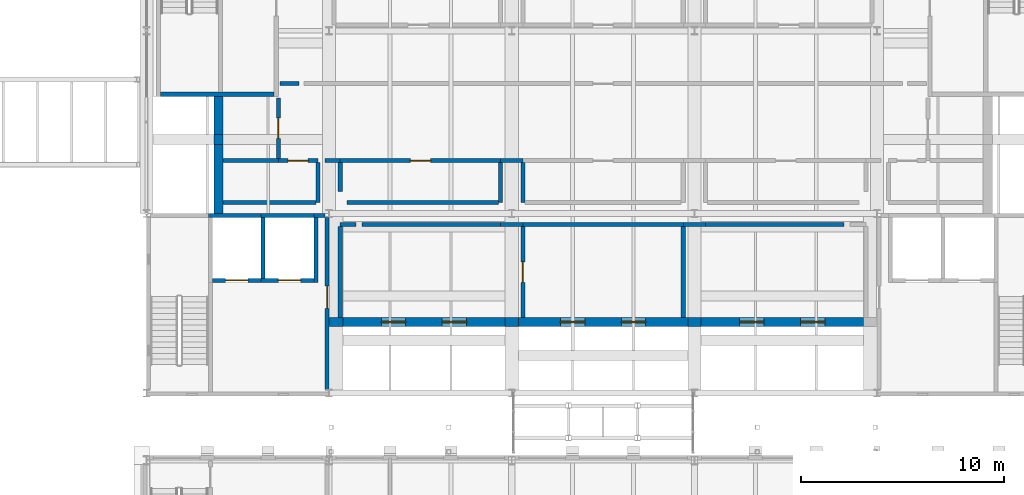
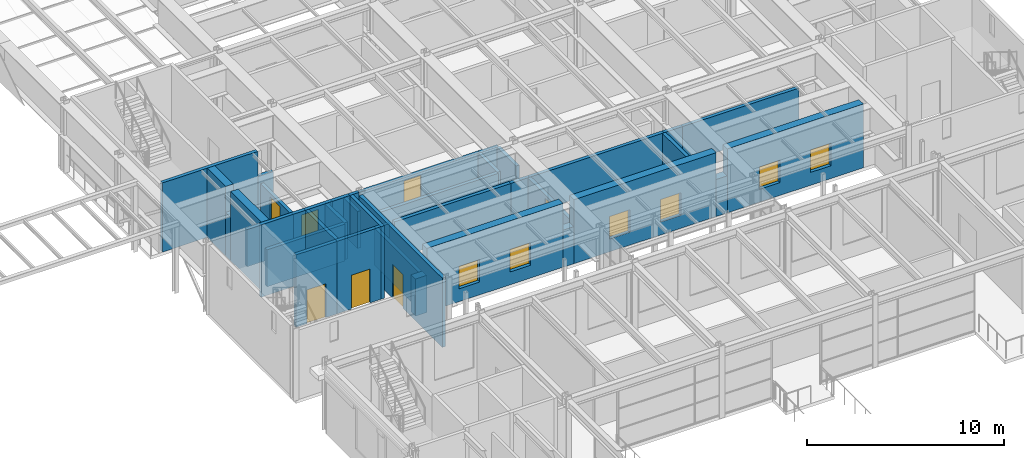
# One storey, part 104 of 153: 40 walls, 7 doors, 6 windows, 13 openings.
"""IFC4 building model written with IfcOpenShell, lengths in metres."""

from ifc_helpers import new_model, si_unit, direction, frame, frame_2d, origin, place, context, subcontext, project, spatial, rectangle, extrude, material, layer, layer_set, type_object, element, fill, save


model = new_model("IFC4")

# Units and contexts
model_context = context("Model", 3, precision=1e-05, world=origin(), true_north=direction((0.0, 1.0)))
body_context = subcontext(model_context, "Body", "Model", "MODEL_VIEW")
ifc_project = project(units=[si_unit("LENGTHUNIT", "METRE"), si_unit("AREAUNIT", "SQUARE_METRE"), si_unit("VOLUMEUNIT", "CUBIC_METRE"), si_unit("PLANEANGLEUNIT", "RADIAN"), si_unit("MASSUNIT", "GRAM", prefix="KILO")], contexts=[model_context])

# Site, building, storey
site_placement = place(None, origin())
site = spatial("IfcSite", under=ifc_project, at=site_placement, CompositionType="ELEMENT")
building_placement = place(site_placement, origin())
building = spatial("IfcBuilding", under=site, at=building_placement, Name="Kallimachos Central Library", CompositionType="ELEMENT")
storey_placement = place(building_placement, frame((0.0, 0.0, 5.39990234375)))
storey = spatial("IfcBuildingStorey", under=building, at=storey_placement, Name="L01", CompositionType="ELEMENT", Elevation=5.39990234375)

# Wall
ifc_material_1 = material(Name="Bronze-anodised aluminium louvres on blockwork", Category="masonry")
ifc_layer_1 = layer(ifc_material_1, 0.449951171875)
ifc_layer_set_1 = layer_set([ifc_layer_1], Name="Bronze louvre enclosure wall 450")
wall_type_1 = type_object("IfcWallType", Name="Bronze louvre enclosure wall 450", PredefinedType="SOLIDWALL", material=ifc_layer_set_1)
wall_1_placement = place(storey_placement, frame((74.5, 90.64990234375, 0.0), z_axis=(0.0, 0.0, 1.0), x_axis=(1.0, 0.0, 0.0)))
element("IfcWall", 1, at=wall_1_placement, inside=storey, type_object=wall_type_1, Name="Louvre enclosure wall S L01", PredefinedType="SOLIDWALL", context=body_context, shape_type="SweptSolid", body=[
    extrude(rectangle(XDim=0.675048828125, YDim=0.449951171875, at=frame_2d((0.33740234375, 0.0))), origin(), (0.0, 0.0, 1.0), 2.300048828125),
])

# Wall, openings, windows
wall_2_placement = place(storey_placement, frame((75.175048828125, 90.64990234375, 0.0), z_axis=(0.0, 0.0, 1.0), x_axis=(1.0, 0.0, 0.0)))
wall_2 = element("IfcWall", 2, at=wall_2_placement, inside=storey, type_object=wall_type_1, Name="Louvre enclosure wall S L01", PredefinedType="SOLIDWALL", context=body_context, shape_type="SweptSolid", body=[
    extrude(rectangle(XDim=8.0, YDim=0.449951171875, at=frame_2d((4.0, 0.0))), origin(), (0.0, 0.0, 1.0), 3.97021484375),
])
opening_1_placement = place(wall_2_placement, frame((1.89990234375, 0.0, 0.800048828125)))
opening_1 = element("IfcOpeningElement", 3, at=opening_1_placement, cuts=wall_2, Name="Opening W45", PredefinedType="OPENING", context=body_context, shape_type="SweptSolid", body=[
    extrude(rectangle(XDim=1.199951171875, YDim=1.39990234375, at=frame_2d((0.60009765625, 0.699951171875))), frame((0.0, 0.23486328125, 0.0), z_axis=(0.0, -1.0, 0.0), x_axis=(1.0, 0.0, 0.0)), (0.0, 0.0, 1.0), 0.469970703125),
])
opening_2_placement = place(wall_2_placement, frame((4.89990234375, 0.0, 0.800048828125)))
opening_2 = element("IfcOpeningElement", 4, at=opening_2_placement, cuts=wall_2, Name="Opening W46", PredefinedType="OPENING", context=body_context, shape_type="SweptSolid", body=[
    extrude(rectangle(XDim=1.199951171875, YDim=1.39990234375, at=frame_2d((0.60009765625, 0.699951171875))), frame((0.0, 0.23486328125, 0.0), z_axis=(0.0, -1.0, 0.0), x_axis=(1.0, 0.0, 0.0)), (0.0, 0.0, 1.0), 0.469970703125),
])
ifc_material_2 = material(Name="Anodised aluminium louvre", Category="aluminium")
window_type = type_object("IfcWindowType", Name="Plant louvre 1200x1400", PartitioningType="SINGLE_PANEL", PredefinedType="WINDOW", material=ifc_material_2)
window_1_placement = place(opening_1_placement, origin())
window_1 = element("IfcWindow", 5, at=window_1_placement, inside=storey, type_object=window_type, Name="V1-WIN-L01-001", OverallHeight=1.39990234375, OverallWidth=1.199951171875, PartitioningType="SINGLE_PANEL", PredefinedType="WINDOW", context=body_context, shape_type="SweptSolid", body=[
    extrude(rectangle(XDim=1.199951171875, YDim=1.39990234375, at=frame_2d((0.60009765625, 0.699951171875))), frame((0.0, 0.030029296875, 0.0), z_axis=(0.0, -1.0, 0.0), x_axis=(1.0, 0.0, 0.0)), (0.0, 0.0, 1.0), 0.06005859375),
])
fill(opening_1, window_1)
window_2_placement = place(opening_2_placement, origin())
window_2 = element("IfcWindow", 6, at=window_2_placement, inside=storey, type_object=window_type, Name="V1-WIN-L01-002", OverallHeight=1.39990234375, OverallWidth=1.199951171875, PartitioningType="SINGLE_PANEL", PredefinedType="WINDOW", context=body_context, shape_type="SweptSolid", body=[
    extrude(rectangle(XDim=1.199951171875, YDim=1.39990234375, at=frame_2d((0.60009765625, 0.699951171875))), frame((0.0, 0.030029296875, 0.0), z_axis=(0.0, -1.0, 0.0), x_axis=(1.0, 0.0, 0.0)), (0.0, 0.0, 1.0), 0.06005859375),
])
fill(opening_2, window_2)

# Wall
wall_3_placement = place(storey_placement, frame((83.175048828125, 90.64990234375, 0.0), z_axis=(0.0, 0.0, 1.0), x_axis=(1.0, 0.0, 0.0)))
element("IfcWall", 7, at=wall_3_placement, inside=storey, type_object=wall_type_1, Name="Louvre enclosure wall S L01", PredefinedType="SOLIDWALL", context=body_context, shape_type="SweptSolid", body=[
    extrude(rectangle(XDim=0.64990234375, YDim=0.449951171875, at=frame_2d((0.324951171875, 0.0))), origin(), (0.0, 0.0, 1.0), 2.300048828125),
])

# Wall, openings, windows
wall_4_placement = place(storey_placement, frame((83.824951171875, 90.64990234375, 0.0), z_axis=(0.0, 0.0, 1.0), x_axis=(1.0, 0.0, 0.0)))
wall_4 = element("IfcWall", 8, at=wall_4_placement, inside=storey, type_object=wall_type_1, Name="Louvre enclosure wall S L01", PredefinedType="SOLIDWALL", context=body_context, shape_type="SweptSolid", body=[
    extrude(rectangle(XDim=8.35009765625, YDim=0.449951171875, at=frame_2d((4.175048828125, 0.0))), origin(), (0.0, 0.0, 1.0), 3.97021484375),
])
opening_3_placement = place(wall_4_placement, frame((2.074951171875, 0.0, 0.800048828125)))
opening_3 = element("IfcOpeningElement", 9, at=opening_3_placement, cuts=wall_4, Name="Opening W47", PredefinedType="OPENING", context=body_context, shape_type="SweptSolid", body=[
    extrude(rectangle(XDim=1.199951171875, YDim=1.39990234375, at=frame_2d((0.60009765625, 0.699951171875))), frame((0.0, 0.23486328125, 0.0), z_axis=(0.0, -1.0, 0.0), x_axis=(1.0, 0.0, 0.0)), (0.0, 0.0, 1.0), 0.469970703125),
])
opening_4_placement = place(wall_4_placement, frame((5.074951171875, 0.0, 0.800048828125)))
opening_4 = element("IfcOpeningElement", 10, at=opening_4_placement, cuts=wall_4, Name="Opening W48", PredefinedType="OPENING", context=body_context, shape_type="SweptSolid", body=[
    extrude(rectangle(XDim=1.199951171875, YDim=1.39990234375, at=frame_2d((0.60009765625, 0.699951171875))), frame((0.0, 0.23486328125, 0.0), z_axis=(0.0, -1.0, 0.0), x_axis=(1.0, 0.0, 0.0)), (0.0, 0.0, 1.0), 0.469970703125),
])
window_3_placement = place(opening_3_placement, origin())
window_3 = element("IfcWindow", 11, at=window_3_placement, inside=storey, type_object=window_type, Name="V1-WIN-L01-003", OverallHeight=1.39990234375, OverallWidth=1.199951171875, PartitioningType="SINGLE_PANEL", PredefinedType="WINDOW", context=body_context, shape_type="SweptSolid", body=[
    extrude(rectangle(XDim=1.199951171875, YDim=1.39990234375, at=frame_2d((0.60009765625, 0.699951171875))), frame((0.0, 0.030029296875, 0.0), z_axis=(0.0, -1.0, 0.0), x_axis=(1.0, 0.0, 0.0)), (0.0, 0.0, 1.0), 0.06005859375),
])
fill(opening_3, window_3)
window_4_placement = place(opening_4_placement, origin())
window_4 = element("IfcWindow", 12, at=window_4_placement, inside=storey, type_object=window_type, Name="V1-WIN-L01-004", OverallHeight=1.39990234375, OverallWidth=1.199951171875, PartitioningType="SINGLE_PANEL", PredefinedType="WINDOW", context=body_context, shape_type="SweptSolid", body=[
    extrude(rectangle(XDim=1.199951171875, YDim=1.39990234375, at=frame_2d((0.60009765625, 0.699951171875))), frame((0.0, 0.030029296875, 0.0), z_axis=(0.0, -1.0, 0.0), x_axis=(1.0, 0.0, 0.0)), (0.0, 0.0, 1.0), 0.06005859375),
])
fill(opening_4, window_4)

# Wall
wall_5_placement = place(storey_placement, frame((92.175048828125, 90.64990234375, 0.0), z_axis=(0.0, 0.0, 1.0), x_axis=(1.0, 0.0, 0.0)))
element("IfcWall", 13, at=wall_5_placement, inside=storey, type_object=wall_type_1, Name="Louvre enclosure wall S L01", PredefinedType="SOLIDWALL", context=body_context, shape_type="SweptSolid", body=[
    extrude(rectangle(XDim=0.64990234375, YDim=0.449951171875, at=frame_2d((0.324951171875, 0.0))), origin(), (0.0, 0.0, 1.0), 2.300048828125),
])

# Wall, openings, windows
wall_6_placement = place(storey_placement, frame((92.824951171875, 90.64990234375, 0.0), z_axis=(0.0, 0.0, 1.0), x_axis=(1.0, 0.0, 0.0)))
wall_6 = element("IfcWall", 14, at=wall_6_placement, inside=storey, type_object=wall_type_1, Name="Louvre enclosure wall S L01", PredefinedType="SOLIDWALL", context=body_context, shape_type="SweptSolid", body=[
    extrude(rectangle(XDim=8.0, YDim=0.449951171875, at=frame_2d((4.0, 0.0))), origin(), (0.0, 0.0, 1.0), 3.97021484375),
])
opening_5_placement = place(wall_6_placement, frame((1.89990234375, 0.0, 0.800048828125)))
opening_5 = element("IfcOpeningElement", 15, at=opening_5_placement, cuts=wall_6, Name="Opening W49", PredefinedType="OPENING", context=body_context, shape_type="SweptSolid", body=[
    extrude(rectangle(XDim=1.199951171875, YDim=1.39990234375, at=frame_2d((0.60009765625, 0.699951171875))), frame((0.0, 0.23486328125, 0.0), z_axis=(0.0, -1.0, 0.0), x_axis=(1.0, 0.0, 0.0)), (0.0, 0.0, 1.0), 0.469970703125),
])
opening_6_placement = place(wall_6_placement, frame((4.89990234375, 0.0, 0.800048828125)))
opening_6 = element("IfcOpeningElement", 16, at=opening_6_placement, cuts=wall_6, Name="Opening W50", PredefinedType="OPENING", context=body_context, shape_type="SweptSolid", body=[
    extrude(rectangle(XDim=1.199951171875, YDim=1.39990234375, at=frame_2d((0.60009765625, 0.699951171875))), frame((0.0, 0.23486328125, 0.0), z_axis=(0.0, -1.0, 0.0), x_axis=(1.0, 0.0, 0.0)), (0.0, 0.0, 1.0), 0.469970703125),
])
window_5_placement = place(opening_5_placement, origin())
window_5 = element("IfcWindow", 17, at=window_5_placement, inside=storey, type_object=window_type, Name="V1-WIN-L01-005", OverallHeight=1.39990234375, OverallWidth=1.199951171875, PartitioningType="SINGLE_PANEL", PredefinedType="WINDOW", context=body_context, shape_type="SweptSolid", body=[
    extrude(rectangle(XDim=1.199951171875, YDim=1.39990234375, at=frame_2d((0.60009765625, 0.699951171875))), frame((0.0, 0.030029296875, 0.0), z_axis=(0.0, -1.0, 0.0), x_axis=(1.0, 0.0, 0.0)), (0.0, 0.0, 1.0), 0.06005859375),
])
fill(opening_5, window_5)
window_6_placement = place(opening_6_placement, origin())
window_6 = element("IfcWindow", 18, at=window_6_placement, inside=storey, type_object=window_type, Name="V1-WIN-L01-006", OverallHeight=1.39990234375, OverallWidth=1.199951171875, PartitioningType="SINGLE_PANEL", PredefinedType="WINDOW", context=body_context, shape_type="SweptSolid", body=[
    extrude(rectangle(XDim=1.199951171875, YDim=1.39990234375, at=frame_2d((0.60009765625, 0.699951171875))), frame((0.0, 0.030029296875, 0.0), z_axis=(0.0, -1.0, 0.0), x_axis=(1.0, 0.0, 0.0)), (0.0, 0.0, 1.0), 0.06005859375),
])
fill(opening_6, window_6)

# Walls
wall_7_placement = place(storey_placement, frame((69.050048828125, 96.0, 0.0), z_axis=(0.0, 0.0, 1.0), x_axis=(0.0, 1.0, 0.0)))
element("IfcWall", 19, at=wall_7_placement, inside=storey, type_object=wall_type_1, Name="Louvre enclosure wall W L01", PredefinedType="SOLIDWALL", context=body_context, shape_type="SweptSolid", body=[
    extrude(rectangle(XDim=3.39111328125, YDim=0.449951171875, at=frame_2d((1.695556640625, 0.0))), origin(), (0.0, 0.0, 1.0), 4.300048828125),
])
wall_8_placement = place(storey_placement, frame((69.050048828125, 99.39111328125, 0.0), z_axis=(0.0, 0.0, 1.0), x_axis=(0.0, 1.0, 0.0)))
element("IfcWall", 20, at=wall_8_placement, inside=storey, type_object=wall_type_1, Name="Louvre enclosure wall W L01", PredefinedType="SOLIDWALL", context=body_context, shape_type="SweptSolid", body=[
    extrude(rectangle(XDim=0.5, YDim=0.449951171875, at=frame_2d((0.25, 0.0))), origin(), (0.0, 0.0, 1.0), 2.7001953125),
])
wall_9_placement = place(storey_placement, frame((69.050048828125, 99.89111328125, 0.0), z_axis=(0.0, 0.0, 1.0), x_axis=(0.0, 1.0, 0.0)))
element("IfcWall", 21, at=wall_9_placement, inside=storey, type_object=wall_type_1, Name="Louvre enclosure wall W L01", PredefinedType="SOLIDWALL", context=body_context, shape_type="SweptSolid", body=[
    extrude(rectangle(XDim=1.8837890625, YDim=0.449951171875, at=frame_2d((0.94189453125, 0.0))), origin(), (0.0, 0.0, 1.0), 4.300048828125),
])

# Wall, opening, door
ifc_material_3 = material(Name="Concrete C30/37", Category="concrete")
ifc_layer_2 = layer(ifc_material_3, 0.199951171875)
ifc_layer_set_2 = layer_set([ifc_layer_2], Name="Core wall 200")
wall_type_2 = type_object("IfcWallType", Name="Core wall 200", PredefinedType="SOLIDWALL", material=ifc_layer_set_2)
wall_10_placement = place(storey_placement, frame((74.39990234375, 87.33837890625, 0.0), z_axis=(0.0, 0.0, 1.0), x_axis=(0.0, 1.0, 0.0)))
wall_10 = element("IfcWall", 22, at=wall_10_placement, inside=storey, type_object=wall_type_2, Name="Core wall V1-SW E", PredefinedType="SOLIDWALL", context=body_context, shape_type="SweptSolid", body=[
    extrude(rectangle(XDim=8.47314453125, YDim=0.199951171875, at=frame_2d((4.236572265625, 0.0))), origin(), (0.0, 0.0, 1.0), 4.300048828125),
])
opening_7_placement = place(wall_10_placement, frame((3.986572265625, 0.0, 0.0)))
opening_7 = element("IfcOpeningElement", 23, at=opening_7_placement, cuts=wall_10, Name="Opening D221", PredefinedType="OPENING", context=body_context, shape_type="SweptSolid", body=[
    extrude(rectangle(XDim=1.10009765625, YDim=2.10009765625, at=frame_2d((0.550048828125, 1.050048828125))), frame((0.0, 0.10986328125, 0.0), z_axis=(0.0, -1.0, 0.0), x_axis=(1.0, 0.0, 0.0)), (0.0, 0.0, 1.0), 0.219970703125),
])
ifc_material_4 = material(Name="Steel fire door", Category="steel")
door_type_1 = type_object("IfcDoorType", Name="Fire door EI2 90 1100 x 2100", OperationType="NOTDEFINED", PredefinedType="DOOR", material=ifc_material_4)
door_1_placement = place(opening_7_placement, origin())
door_1 = element("IfcDoor", 24, at=door_1_placement, inside=storey, type_object=door_type_1, Name="V1-DOR-L01-005", OperationType="SINGLE_SWING_RIGHT", OverallHeight=2.10009765625, OverallWidth=1.10009765625, PredefinedType="DOOR", context=body_context, shape_type="SweptSolid", body=[
    extrude(rectangle(XDim=1.10009765625, YDim=2.10009765625, at=frame_2d((0.550048828125, 1.050048828125))), frame((0.0, 0.02490234375, 0.0), z_axis=(0.0, -1.0, 0.0), x_axis=(1.0, 0.0, 0.0)), (0.0, 0.0, 1.0), 0.050048828125),
])
fill(opening_7, door_1)

# Walls
wall_11_placement = place(storey_placement, frame((73.75, 95.89990234375, 0.0), z_axis=(0.0, 0.0, 1.0), x_axis=(1.0, 0.0, 0.0)))
element("IfcWall", 25, at=wall_11_placement, inside=storey, type_object=wall_type_2, Name="Core wall V1-SW N", PredefinedType="SOLIDWALL", context=body_context, shape_type="SweptSolid", body=[
    extrude(rectangle(XDim=0.550048828125, YDim=0.199951171875, at=frame_2d((0.27490234375, 0.0))), origin(), (0.0, 0.0, 1.0), 4.5),
])
wall_12_placement = place(storey_placement, frame((66.199951171875, 101.875, 0.0), z_axis=(0.0, 0.0, 1.0), x_axis=(1.0, 0.0, 0.0)))
element("IfcWall", 26, at=wall_12_placement, inside=storey, type_object=wall_type_2, Name="Core wall V1-NW S", PredefinedType="SOLIDWALL", context=body_context, shape_type="SweptSolid", body=[
    extrude(rectangle(XDim=5.60009765625, YDim=0.199951171875, at=frame_2d((2.800048828125, 0.0))), origin(), (0.0, 0.0, 1.0), 4.300048828125),
])
ifc_material_5 = material(Name="Concrete C30/37", Category="concrete")
ifc_layer_3 = layer(ifc_material_5, 0.199951171875)
ifc_layer_set_3 = layer_set([ifc_layer_3], Name="Lift shaft wall 200")
wall_type_3 = type_object("IfcWallType", Name="Lift shaft wall 200", PredefinedType="SOLIDWALL", material=ifc_layer_set_3)
wall_13_placement = place(storey_placement, frame((68.550048828125, 95.89990234375, 0.0), z_axis=(0.0, 0.0, 1.0), x_axis=(1.0, 0.0, 0.0)))
element("IfcWall", 27, at=wall_13_placement, inside=storey, type_object=wall_type_3, Name="V1-WAL-L01-001", PredefinedType="SOLIDWALL", context=body_context, shape_type="SweptSolid", body=[
    extrude(rectangle(XDim=2.599853515625, YDim=0.199951171875, at=frame_2d((1.2998046875, 0.0))), origin(), (0.0, 0.0, 1.0), 4.5),
])

# Wall, opening, door
wall_14_placement = place(storey_placement, frame((68.75, 92.699951171875, 0.0), z_axis=(0.0, 0.0, 1.0), x_axis=(1.0, 0.0, 0.0)))
wall_14 = element("IfcWall", 28, at=wall_14_placement, inside=storey, type_object=wall_type_3, Name="V1-WAL-L01-002", PredefinedType="SOLIDWALL", context=body_context, shape_type="SweptSolid", body=[
    extrude(rectangle(XDim=2.39990234375, YDim=0.199951171875, at=frame_2d((1.199951171875, 0.0))), origin(), (0.0, 0.0, 1.0), 4.5),
])
opening_8_placement = place(wall_14_placement, frame((0.64990234375, 0.0, 0.0)))
opening_8 = element("IfcOpeningElement", 29, at=opening_8_placement, cuts=wall_14, Name="Opening LD1100", PredefinedType="OPENING", context=body_context, shape_type="SweptSolid", body=[
    extrude(rectangle(XDim=1.10009765625, YDim=2.10009765625, at=frame_2d((0.550048828125, 1.050048828125))), frame((0.0, 0.10986328125, 0.0), z_axis=(0.0, -1.0, 0.0), x_axis=(1.0, 0.0, 0.0)), (0.0, 0.0, 1.0), 0.219970703125),
])
ifc_material_6 = material(Name="Stainless steel", Category="steel")
door_type_2 = type_object("IfcDoorType", Name="Lift landing door 1100 x 2100", OperationType="SLIDING_TO_LEFT", PredefinedType="DOOR", material=ifc_material_6)
door_2_placement = place(opening_8_placement, origin())
door_2 = element("IfcDoor", 30, at=door_2_placement, inside=storey, type_object=door_type_2, Name="LF1 landing door L01", OperationType="SLIDING_TO_LEFT", OverallHeight=2.10009765625, OverallWidth=1.10009765625, PredefinedType="DOOR", context=body_context, shape_type="SweptSolid", body=[
    extrude(rectangle(XDim=1.10009765625, YDim=2.10009765625, at=frame_2d((0.550048828125, 1.050048828125))), frame((0.0, 0.02490234375, 0.0), z_axis=(0.0, -1.0, 0.0), x_axis=(1.0, 0.0, 0.0)), (0.0, 0.0, 1.0), 0.050048828125),
])
fill(opening_8, door_2)

# Walls
wall_15_placement = place(storey_placement, frame((71.25, 92.60009765625, 0.0), z_axis=(0.0, 0.0, 1.0), x_axis=(0.0, 1.0, 0.0)))
element("IfcWall", 31, at=wall_15_placement, inside=storey, type_object=wall_type_3, Name="V1-WAL-L01-004", PredefinedType="SOLIDWALL", context=body_context, shape_type="SweptSolid", body=[
    extrude(rectangle(XDim=3.39990234375, YDim=0.199951171875, at=frame_2d((1.699951171875, 0.0))), origin(), (0.0, 0.0, 1.0), 4.5),
])
wall_16_placement = place(storey_placement, frame((71.14990234375, 95.89990234375, 0.0), z_axis=(0.0, 0.0, 1.0), x_axis=(1.0, 0.0, 0.0)))
element("IfcWall", 32, at=wall_16_placement, inside=storey, type_object=wall_type_3, Name="V1-WAL-L01-005", PredefinedType="SOLIDWALL", context=body_context, shape_type="SweptSolid", body=[
    extrude(rectangle(XDim=2.60009765625, YDim=0.199951171875, at=frame_2d((1.300048828125, 0.0))), origin(), (0.0, 0.0, 1.0), 4.5),
])

# Wall, opening, door
wall_17_placement = place(storey_placement, frame((71.14990234375, 92.699951171875, 0.0), z_axis=(0.0, 0.0, 1.0), x_axis=(1.0, 0.0, 0.0)))
wall_17 = element("IfcWall", 33, at=wall_17_placement, inside=storey, type_object=wall_type_3, Name="V1-WAL-L01-006", PredefinedType="SOLIDWALL", context=body_context, shape_type="SweptSolid", body=[
    extrude(rectangle(XDim=2.60009765625, YDim=0.199951171875, at=frame_2d((1.300048828125, 0.0))), origin(), (0.0, 0.0, 1.0), 4.5),
])
opening_9_placement = place(wall_17_placement, frame((0.85009765625, 0.0, 0.0)))
opening_9 = element("IfcOpeningElement", 34, at=opening_9_placement, cuts=wall_17, Name="Opening LD1100", PredefinedType="OPENING", context=body_context, shape_type="SweptSolid", body=[
    extrude(rectangle(XDim=1.10009765625, YDim=2.10009765625, at=frame_2d((0.550048828125, 1.050048828125))), frame((0.0, 0.10986328125, 0.0), z_axis=(0.0, -1.0, 0.0), x_axis=(1.0, 0.0, 0.0)), (0.0, 0.0, 1.0), 0.219970703125),
])
door_3_placement = place(opening_9_placement, origin())
door_3 = element("IfcDoor", 35, at=door_3_placement, inside=storey, type_object=door_type_2, Name="LF2 landing door L01", OperationType="SLIDING_TO_LEFT", OverallHeight=2.10009765625, OverallWidth=1.10009765625, PredefinedType="DOOR", context=body_context, shape_type="SweptSolid", body=[
    extrude(rectangle(XDim=1.10009765625, YDim=2.10009765625, at=frame_2d((0.550048828125, 1.050048828125))), frame((0.0, 0.02490234375, 0.0), z_axis=(0.0, -1.0, 0.0), x_axis=(1.0, 0.0, 0.0)), (0.0, 0.0, 1.0), 0.050048828125),
])
fill(opening_9, door_3)

# Walls
wall_18_placement = place(storey_placement, frame((73.85009765625, 92.60009765625, 0.0), z_axis=(0.0, 0.0, 1.0), x_axis=(0.0, 1.0, 0.0)))
element("IfcWall", 36, at=wall_18_placement, inside=storey, type_object=wall_type_3, Name="V1-WAL-L01-007", PredefinedType="SOLIDWALL", context=body_context, shape_type="SweptSolid", body=[
    extrude(rectangle(XDim=3.39990234375, YDim=0.199951171875, at=frame_2d((1.699951171875, 0.0))), origin(), (0.0, 0.0, 1.0), 4.5),
])
ifc_material_7 = material(Name="Blockwork wall", Category="masonry")
ifc_layer_4 = layer(ifc_material_7, 0.199951171875)
ifc_layer_set_4 = layer_set([ifc_layer_4], Name="Plant room wall 200")
wall_type_4 = type_object("IfcWallType", Name="Plant room wall 200", PredefinedType="SOLIDWALL", material=ifc_layer_set_4)
wall_19_placement = place(storey_placement, frame((75.050048828125, 95.449951171875, 0.0), z_axis=(0.0, 0.0, 1.0), x_axis=(1.0, 0.0, 0.0)))
element("IfcWall", 37, at=wall_19_placement, inside=storey, type_object=wall_type_4, Name="Plant room wall", PredefinedType="SOLIDWALL", context=body_context, shape_type="SweptSolid", body=[
    extrude(rectangle(XDim=0.7841796875, YDim=0.199951171875, at=frame_2d((0.39208984375, 0.0))), origin(), (0.0, 0.0, 1.0), 2.300048828125),
])
wall_20_placement = place(storey_placement, frame((76.122802734375, 95.449951171875, 0.0), z_axis=(0.0, 0.0, 1.0), x_axis=(1.0, 0.0, 0.0)))
element("IfcWall", 38, at=wall_20_placement, inside=storey, type_object=wall_type_4, Name="Plant room wall", PredefinedType="SOLIDWALL", context=body_context, shape_type="SweptSolid", body=[
    extrude(rectangle(XDim=6.8271484375, YDim=0.199951171875, at=frame_2d((3.41357421875, 0.0))), origin(), (0.0, 0.0, 1.0), 2.300048828125),
])
wall_21_placement = place(storey_placement, frame((82.949951171875, 95.449951171875, 0.0), z_axis=(0.0, 0.0, 1.0), x_axis=(1.0, 0.0, 0.0)))
element("IfcWall", 39, at=wall_21_placement, inside=storey, type_object=wall_type_4, Name="Plant room wall", PredefinedType="SOLIDWALL", context=body_context, shape_type="SweptSolid", body=[
    extrude(rectangle(XDim=1.10009765625, YDim=0.199951171875, at=frame_2d((0.550048828125, 0.0))), origin(), (0.0, 0.0, 1.0), 2.300048828125),
])

# Wall, opening, door
wall_22_placement = place(storey_placement, frame((84.050048828125, 95.35009765625, 0.0), z_axis=(0.0, 0.0, 1.0), x_axis=(0.0, -1.0, 0.0)))
wall_22 = element("IfcWall", 40, at=wall_22_placement, inside=storey, type_object=wall_type_4, Name="Plant room wall", PredefinedType="SOLIDWALL", context=body_context, shape_type="SweptSolid", body=[
    extrude(rectangle(XDim=4.47509765625, YDim=0.199951171875, at=frame_2d((2.237548828125, 0.0))), origin(), (0.0, 0.0, 1.0), 2.300048828125),
])
opening_10_placement = place(wall_22_placement, frame((1.737548828125, 0.0, 0.0)))
opening_10 = element("IfcOpeningElement", 41, at=opening_10_placement, cuts=wall_22, Name="Opening D253", PredefinedType="OPENING", context=body_context, shape_type="SweptSolid", body=[
    extrude(rectangle(XDim=1.0, YDim=2.10009765625, at=frame_2d((0.5, 1.050048828125))), frame((0.0, 0.10986328125, 0.0), z_axis=(0.0, -1.0, 0.0), x_axis=(1.0, 0.0, 0.0)), (0.0, 0.0, 1.0), 0.219970703125),
])
ifc_material_8 = material(Name="Steel fire door", Category="steel")
door_type_3 = type_object("IfcDoorType", Name="Fire door EI2 90 1000 x 2100", OperationType="NOTDEFINED", PredefinedType="DOOR", material=ifc_material_8)
door_4_placement = place(opening_10_placement, origin())
door_4 = element("IfcDoor", 42, at=door_4_placement, inside=storey, type_object=door_type_3, Name="V1-DOR-L01-010", OperationType="SINGLE_SWING_RIGHT", OverallHeight=2.10009765625, OverallWidth=1.0, PredefinedType="DOOR", context=body_context, shape_type="SweptSolid", body=[
    extrude(rectangle(XDim=1.0, YDim=2.10009765625, at=frame_2d((0.5, 1.050048828125))), frame((0.0, 0.02490234375, 0.0), z_axis=(0.0, -1.0, 0.0), x_axis=(1.0, 0.0, 0.0)), (0.0, 0.0, 1.0), 0.050048828125),
])
fill(opening_10, door_4)

# Walls
wall_23_placement = place(storey_placement, frame((75.050048828125, 90.875, 0.0), z_axis=(0.0, 0.0, 1.0), x_axis=(0.0, 1.0, 0.0)))
element("IfcWall", 43, at=wall_23_placement, inside=storey, type_object=wall_type_4, Name="Plant room wall", PredefinedType="SOLIDWALL", context=body_context, shape_type="SweptSolid", body=[
    extrude(rectangle(XDim=4.47509765625, YDim=0.199951171875, at=frame_2d((2.237548828125, 0.0))), origin(), (0.0, 0.0, 1.0), 2.300048828125),
])
wall_24_placement = place(storey_placement, frame((91.949951171875, 95.449951171875, 0.0), z_axis=(0.0, 0.0, 1.0), x_axis=(1.0, 0.0, 0.0)))
element("IfcWall", 44, at=wall_24_placement, inside=storey, type_object=wall_type_4, Name="Plant room wall", PredefinedType="SOLIDWALL", context=body_context, shape_type="SweptSolid", body=[
    extrude(rectangle(XDim=1.10009765625, YDim=0.199951171875, at=frame_2d((0.550048828125, 0.0))), origin(), (0.0, 0.0, 1.0), 2.300048828125),
])
wall_25_placement = place(storey_placement, frame((93.050048828125, 95.449951171875, 0.0), z_axis=(0.0, 0.0, 1.0), x_axis=(1.0, 0.0, 0.0)))
element("IfcWall", 45, at=wall_25_placement, inside=storey, type_object=wall_type_4, Name="Plant room wall", PredefinedType="SOLIDWALL", context=body_context, shape_type="SweptSolid", body=[
    extrude(rectangle(XDim=6.8271484375, YDim=0.199951171875, at=frame_2d((3.41357421875, 0.0))), origin(), (0.0, 0.0, 1.0), 2.300048828125),
])
wall_26_placement = place(storey_placement, frame((91.949951171875, 90.875, 0.0), z_axis=(0.0, 0.0, 1.0), x_axis=(0.0, 1.0, 0.0)))
element("IfcWall", 46, at=wall_26_placement, inside=storey, type_object=wall_type_4, Name="Plant room wall", PredefinedType="SOLIDWALL", context=body_context, shape_type="SweptSolid", body=[
    extrude(rectangle(XDim=4.47509765625, YDim=0.199951171875, at=frame_2d((2.237548828125, 0.0))), origin(), (0.0, 0.0, 1.0), 2.300048828125),
])
wall_27_placement = place(storey_placement, frame((73.014404296875, 102.39990234375, 0.0), z_axis=(0.0, 0.0, 1.0), x_axis=(-1.0, 0.0, 0.0)))
element("IfcWall", 47, at=wall_27_placement, inside=storey, type_object=wall_type_4, Name="Plant room wall", PredefinedType="SOLIDWALL", context=body_context, shape_type="SweptSolid", body=[
    extrude(rectangle(XDim=0.934326171875, YDim=0.199951171875, at=frame_2d((0.46728515625, 0.0))), origin(), (0.0, 0.0, 1.0), 2.300048828125),
])
wall_28_placement = place(storey_placement, frame((84.050048828125, 98.60009765625, 0.0), z_axis=(0.0, 0.0, 1.0), x_axis=(-1.0, 0.0, 0.0)))
element("IfcWall", 48, at=wall_28_placement, inside=storey, type_object=wall_type_4, Name="Plant room wall", PredefinedType="SOLIDWALL", context=body_context, shape_type="SweptSolid", body=[
    extrude(rectangle(XDim=1.10009765625, YDim=0.199951171875, at=frame_2d((0.550048828125, 0.0))), origin(), (0.0, 0.0, 1.0), 2.300048828125),
])

# Wall, opening, door
wall_29_placement = place(storey_placement, frame((82.949951171875, 98.60009765625, 0.0), z_axis=(0.0, 0.0, 1.0), x_axis=(-1.0, 0.0, 0.0)))
wall_29 = element("IfcWall", 49, at=wall_29_placement, inside=storey, type_object=wall_type_4, Name="Plant room wall", PredefinedType="SOLIDWALL", context=body_context, shape_type="SweptSolid", body=[
    extrude(rectangle(XDim=7.89990234375, YDim=0.199951171875, at=frame_2d((3.949951171875, 0.0))), origin(), (0.0, 0.0, 1.0), 2.300048828125),
])
opening_11_placement = place(wall_29_placement, frame((3.449951171875, 0.0, 0.0)))
opening_11 = element("IfcOpeningElement", 50, at=opening_11_placement, cuts=wall_29, Name="Opening D255", PredefinedType="OPENING", context=body_context, shape_type="SweptSolid", body=[
    extrude(rectangle(XDim=1.0, YDim=2.10009765625, at=frame_2d((0.5, 1.050048828125))), frame((0.0, 0.10986328125, 0.0), z_axis=(0.0, -1.0, 0.0), x_axis=(1.0, 0.0, 0.0)), (0.0, 0.0, 1.0), 0.219970703125),
])
door_5_placement = place(opening_11_placement, origin())
door_5 = element("IfcDoor", 51, at=door_5_placement, inside=storey, type_object=door_type_3, Name="V1-DOR-L01-012", OperationType="SINGLE_SWING_LEFT", OverallHeight=2.10009765625, OverallWidth=1.0, PredefinedType="DOOR", context=body_context, shape_type="SweptSolid", body=[
    extrude(rectangle(XDim=1.0, YDim=2.10009765625, at=frame_2d((0.5, 1.050048828125))), frame((0.0, 0.02490234375, 0.0), z_axis=(0.0, -1.0, 0.0), x_axis=(1.0, 0.0, 0.0)), (0.0, 0.0, 1.0), 0.050048828125),
])
fill(opening_11, door_5)

# Wall
wall_30_placement = place(storey_placement, frame((75.050048828125, 98.60009765625, 0.0), z_axis=(0.0, 0.0, 1.0), x_axis=(-1.0, 0.0, 0.0)))
element("IfcWall", 52, at=wall_30_placement, inside=storey, type_object=wall_type_4, Name="Plant room wall", PredefinedType="SOLIDWALL", context=body_context, shape_type="SweptSolid", body=[
    extrude(rectangle(XDim=0.744873046875, YDim=0.199951171875, at=frame_2d((0.37255859375, 0.0))), origin(), (0.0, 0.0, 1.0), 2.300048828125),
])

# Wall, opening, door
wall_31_placement = place(storey_placement, frame((73.949951171875, 98.60009765625, 0.0), z_axis=(0.0, 0.0, 1.0), x_axis=(-1.0, 0.0, 0.0)))
wall_31 = element("IfcWall", 53, at=wall_31_placement, inside=storey, type_object=wall_type_4, Name="Plant room wall", PredefinedType="SOLIDWALL", context=body_context, shape_type="SweptSolid", body=[
    extrude(rectangle(XDim=1.949951171875, YDim=0.199951171875, at=frame_2d((0.97509765625, 0.0))), origin(), (0.0, 0.0, 1.0), 2.300048828125),
])
opening_12_placement = place(wall_31_placement, frame((0.47509765625, 0.0, 0.0)))
opening_12 = element("IfcOpeningElement", 54, at=opening_12_placement, cuts=wall_31, Name="Opening D254", PredefinedType="OPENING", context=body_context, shape_type="SweptSolid", body=[
    extrude(rectangle(XDim=1.0, YDim=2.10009765625, at=frame_2d((0.5, 1.050048828125))), frame((0.0, 0.10986328125, 0.0), z_axis=(0.0, -1.0, 0.0), x_axis=(1.0, 0.0, 0.0)), (0.0, 0.0, 1.0), 0.219970703125),
])
door_6_placement = place(opening_12_placement, origin())
door_6 = element("IfcDoor", 55, at=door_6_placement, inside=storey, type_object=door_type_3, Name="V1-DOR-L01-011", OperationType="SINGLE_SWING_RIGHT", OverallHeight=2.10009765625, OverallWidth=1.0, PredefinedType="DOOR", context=body_context, shape_type="SweptSolid", body=[
    extrude(rectangle(XDim=1.0, YDim=2.10009765625, at=frame_2d((0.5, 1.050048828125))), frame((0.0, 0.02490234375, 0.0), z_axis=(0.0, -1.0, 0.0), x_axis=(1.0, 0.0, 0.0)), (0.0, 0.0, 1.0), 0.050048828125),
])
fill(opening_12, door_6)

wall_32_placement = place(storey_placement, frame((72.0, 98.699951171875, 0.0), z_axis=(0.0, 0.0, 1.0), x_axis=(0.0, 1.0, 0.0)))
wall_32 = element("IfcWall", 56, at=wall_32_placement, inside=storey, type_object=wall_type_4, Name="Plant room wall", PredefinedType="SOLIDWALL", context=body_context, shape_type="SweptSolid", body=[
    extrude(rectangle(XDim=2.9951171875, YDim=0.199951171875, at=frame_2d((1.49755859375, 0.0))), origin(), (0.0, 0.0, 1.0), 2.300048828125),
])
opening_13_placement = place(wall_32_placement, frame((0.99755859375, 0.0, 0.0)))
opening_13 = element("IfcOpeningElement", 57, at=opening_13_placement, cuts=wall_32, Name="Opening D262", PredefinedType="OPENING", context=body_context, shape_type="SweptSolid", body=[
    extrude(rectangle(XDim=1.0, YDim=2.10009765625, at=frame_2d((0.5, 1.050048828125))), frame((0.0, 0.10986328125, 0.0), z_axis=(0.0, -1.0, 0.0), x_axis=(1.0, 0.0, 0.0)), (0.0, 0.0, 1.0), 0.219970703125),
])
door_7_placement = place(opening_13_placement, origin())
door_7 = element("IfcDoor", 58, at=door_7_placement, inside=storey, type_object=door_type_3, Name="V1-DOR-L01-019", OperationType="SINGLE_SWING_RIGHT", OverallHeight=2.10009765625, OverallWidth=1.0, PredefinedType="DOOR", context=body_context, shape_type="SweptSolid", body=[
    extrude(rectangle(XDim=1.0, YDim=2.10009765625, at=frame_2d((0.5, 1.050048828125))), frame((0.0, 0.02490234375, 0.0), z_axis=(0.0, -1.0, 0.0), x_axis=(1.0, 0.0, 0.0)), (0.0, 0.0, 1.0), 0.050048828125),
])
fill(opening_13, door_7)

# Walls
wall_33_placement = place(storey_placement, frame((84.050048828125, 95.449951171875, 0.0), z_axis=(0.0, 0.0, 1.0), x_axis=(1.0, 0.0, 0.0)))
element("IfcWall", 59, at=wall_33_placement, inside=storey, type_object=wall_type_4, Name="Plant room wall", PredefinedType="SOLIDWALL", context=body_context, shape_type="SweptSolid", body=[
    extrude(rectangle(XDim=7.89990234375, YDim=0.199951171875, at=frame_2d((3.949951171875, 0.0))), origin(), (0.0, 0.0, 1.0), 2.300048828125),
])
wall_34_placement = place(storey_placement, frame((69.27490234375, 98.60009765625, 0.0), z_axis=(0.0, 0.0, 1.0), x_axis=(1.0, 0.0, 0.0)))
element("IfcWall", 60, at=wall_34_placement, inside=storey, type_object=wall_type_4, Name="Plant room wall", PredefinedType="SOLIDWALL", context=body_context, shape_type="SweptSolid", body=[
    extrude(rectangle(XDim=2.72509765625, YDim=0.199951171875, at=frame_2d((1.362548828125, 0.0))), origin(), (0.0, 0.0, 1.0), 2.300048828125),
])
wall_35_placement = place(storey_placement, frame((73.949951171875, 98.5, 0.0), z_axis=(0.0, 0.0, 1.0), x_axis=(0.0, -1.0, 0.0)))
element("IfcWall", 61, at=wall_35_placement, inside=storey, type_object=wall_type_4, Name="Plant room wall", PredefinedType="SOLIDWALL", context=body_context, shape_type="SweptSolid", body=[
    extrude(rectangle(XDim=1.949951171875, YDim=0.199951171875, at=frame_2d((0.97509765625, 0.0))), origin(), (0.0, 0.0, 1.0), 2.300048828125),
])
wall_36_placement = place(storey_placement, frame((73.85009765625, 96.550048828125, 0.0), z_axis=(0.0, 0.0, 1.0), x_axis=(-1.0, 0.0, 0.0)))
element("IfcWall", 62, at=wall_36_placement, inside=storey, type_object=wall_type_4, Name="Plant room wall", PredefinedType="SOLIDWALL", context=body_context, shape_type="SweptSolid", body=[
    extrude(rectangle(XDim=4.5751953125, YDim=0.199951171875, at=frame_2d((2.28759765625, 0.0))), origin(), (0.0, 0.0, 1.0), 2.300048828125),
])
wall_37_placement = place(storey_placement, frame((75.050048828125, 97.08935546875, 0.0), z_axis=(0.0, 0.0, 1.0), x_axis=(0.0, 1.0, 0.0)))
element("IfcWall", 63, at=wall_37_placement, inside=storey, type_object=wall_type_4, Name="Plant room wall", PredefinedType="SOLIDWALL", context=body_context, shape_type="SweptSolid", body=[
    extrude(rectangle(XDim=1.41064453125, YDim=0.199951171875, at=frame_2d((0.705322265625, 0.0))), origin(), (0.0, 0.0, 1.0), 2.300048828125),
])
wall_38_placement = place(storey_placement, frame((82.949951171875, 98.5, 0.0), z_axis=(0.0, 0.0, 1.0), x_axis=(0.0, -1.0, 0.0)))
element("IfcWall", 64, at=wall_38_placement, inside=storey, type_object=wall_type_4, Name="Plant room wall", PredefinedType="SOLIDWALL", context=body_context, shape_type="SweptSolid", body=[
    extrude(rectangle(XDim=1.949951171875, YDim=0.199951171875, at=frame_2d((0.97509765625, 0.0))), origin(), (0.0, 0.0, 1.0), 2.300048828125),
])
wall_39_placement = place(storey_placement, frame((82.85009765625, 96.550048828125, 0.0), z_axis=(0.0, 0.0, 1.0), x_axis=(-1.0, 0.0, 0.0)))
element("IfcWall", 65, at=wall_39_placement, inside=storey, type_object=wall_type_4, Name="Plant room wall", PredefinedType="SOLIDWALL", context=body_context, shape_type="SweptSolid", body=[
    extrude(rectangle(XDim=7.46240234375, YDim=0.199951171875, at=frame_2d((3.731201171875, 0.0))), origin(), (0.0, 0.0, 1.0), 2.300048828125),
])
wall_40_placement = place(storey_placement, frame((84.050048828125, 96.550048828125, 0.0), z_axis=(0.0, 0.0, 1.0), x_axis=(0.0, 1.0, 0.0)))
element("IfcWall", 66, at=wall_40_placement, inside=storey, type_object=wall_type_4, Name="Plant room wall", PredefinedType="SOLIDWALL", context=body_context, shape_type="SweptSolid", body=[
    extrude(rectangle(XDim=1.949951171875, YDim=0.199951171875, at=frame_2d((0.97509765625, 0.0))), origin(), (0.0, 0.0, 1.0), 2.300048828125),
])

save(model, "model.ifc")
